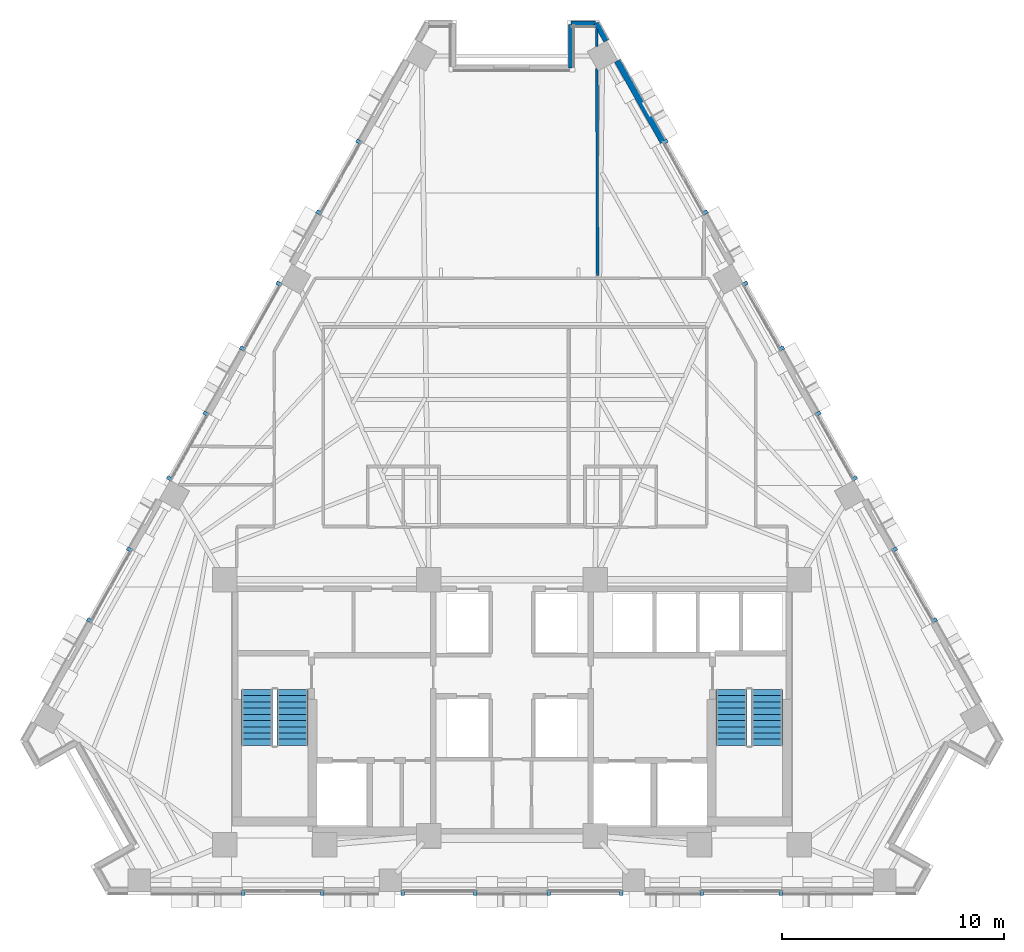
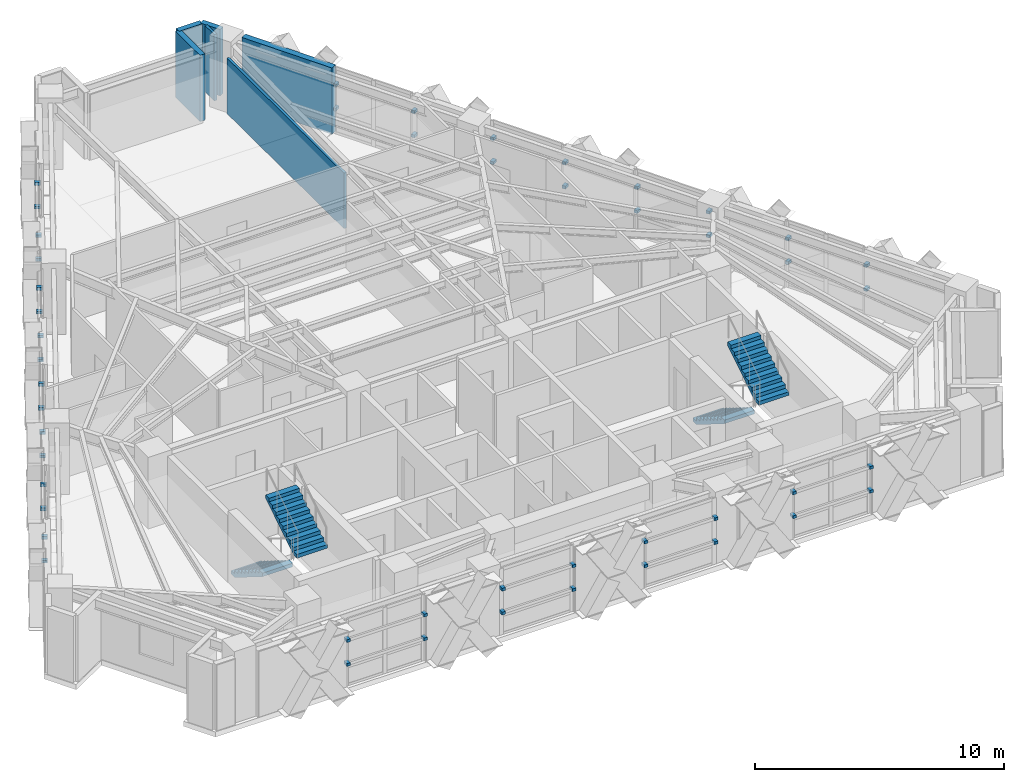
# One storey, part 10 of 14: 48 discrete accessories, 6 walls, 4 stair flights, 2 elements without a shape of their own.
"""IFC4 building model written with IfcOpenShell, lengths in metres."""

from ifc_helpers import new_model, si_unit, direction, frame, frame_2d, origin, origin_2d, place, context, subcontext, project, spatial, polyline, rectangle, outline, extrude, material, layer, layer_set, type_object, element, aggregate, save


model = new_model("IFC4")

# Units and contexts
model_context = context("Model", 3, precision=1e-05, world=origin(), true_north=direction((0.0, 1.0)))
body_context = subcontext(model_context, "Body", "Model", "MODEL_VIEW")
ifc_project = project(units=[si_unit("LENGTHUNIT", "METRE"), si_unit("AREAUNIT", "SQUARE_METRE"), si_unit("VOLUMEUNIT", "CUBIC_METRE"), si_unit("PLANEANGLEUNIT", "RADIAN"), si_unit("MASSUNIT", "GRAM", prefix="KILO")], contexts=[model_context])

# Site, building, storey
site_placement = place(None, origin())
site = spatial("IfcSite", under=ifc_project, at=site_placement, CompositionType="ELEMENT")
building_placement = place(site_placement, origin())
building = spatial("IfcBuilding", under=site, at=building_placement, Name="Quenlor Broadcast Tower", CompositionType="ELEMENT")
storey_placement = place(building_placement, frame((0.0, 0.0, 154.5)))
storey = spatial("IfcBuildingStorey", under=building, at=storey_placement, Name="L42", CompositionType="ELEMENT", Elevation=154.5)

# Walls
ifc_material_1 = material(Name="Gypsum Plasterboard Partition", Category="other")
ifc_layer_1 = layer(ifc_material_1, 0.1201171875)
ifc_layer_set_1 = layer_set([ifc_layer_1], Name="Standard Office Partition 120")
wall_type_1 = type_object("IfcWallType", Name="Standard Office Partition 120", PredefinedType="PARTITIONING", material=ifc_layer_set_1)
wall_1_placement = place(storey_placement, frame((3.8203125, 20.002685546875, 0.0), z_axis=(0.0, 0.0, 1.0), x_axis=(0.00358654361, -0.999993568332, 0.0)))
element("IfcWall", 1, at=wall_1_placement, inside=storey, type_object=wall_type_1, Name="L42 Interior Wall PW-DV-01", PredefinedType="PARTITIONING", context=body_context, shape_type="SweptSolid", body=[
    extrude(rectangle(XDim=0.748779296875, YDim=0.1201171875, at=frame_2d((0.37451171875, 0.0))), origin(), (0.0, 0.0, 1.0), 3.25),
])
wall_2_placement = place(storey_placement, frame((3.826416015625, 18.247802734375, 0.0), z_axis=(0.0, 0.0, 1.0), x_axis=(0.003529574333, -0.999993771033, 0.0)))
element("IfcWall", 2, at=wall_2_placement, inside=storey, type_object=wall_type_1, Name="L42 Interior Wall PW-DV-01S2", PredefinedType="PARTITIONING", context=body_context, shape_type="SweptSolid", body=[
    extrude(rectangle(XDim=9.337890625, YDim=0.1201171875, at=frame_2d((4.6689453125, 0.0))), origin(), (0.0, 0.0, 1.0), 2.717041015625),
])
ifc_material_2 = material(Name="Precast concrete C40/50", Category="concrete")
ifc_layer_2 = layer(ifc_material_2, 0.239990234375)
ifc_layer_set_2 = layer_set([ifc_layer_2], Name="Terrace Threshold Precast Concrete C40/50 Wall 240")
wall_type_2 = type_object("IfcWallType", Name="Terrace Threshold Precast Concrete C40/50 Wall 240", PredefinedType="STANDARD", material=ifc_layer_set_2)
wall_3_placement = place(storey_placement, frame((3.7919921875, 20.302001953125, 0.0), z_axis=(0.0, 0.0, 1.0), x_axis=(0.490048346303, -0.871695255399, 0.0)))
element("IfcWall", 3, at=wall_3_placement, inside=storey, type_object=wall_type_2, Name="L42 Exterior Wall L42-SHD-NES0", PredefinedType="STANDARD", context=body_context, shape_type="SweptSolid", body=[
    extrude(rectangle(XDim=0.925537109375, YDim=0.239990234375, at=frame_2d((0.462890625, 0.0))), origin(), (0.0, 0.0, 1.0), 3.25),
])
wall_4_placement = place(storey_placement, frame((3.761474609375, 20.280029296875, 0.0), z_axis=(0.0, 0.0, 1.0), x_axis=(-1.0, 0.0, 0.0)))
element("IfcWall", 4, at=wall_4_placement, inside=storey, type_object=wall_type_2, Name="L42 Exterior Wall L42-CNR-06", PredefinedType="STANDARD", context=body_context, shape_type="SweptSolid", body=[
    extrude(rectangle(XDim=1.1015625, YDim=0.239990234375, at=frame_2d((0.55078125, 0.0))), origin(), (0.0, 0.0, 1.0), 3.25),
])
wall_5_placement = place(storey_placement, frame((2.659912109375, 20.239990234375, 0.0), z_axis=(0.0, 0.0, 1.0), x_axis=(0.0, -1.0, 0.0)))
element("IfcWall", 5, at=wall_5_placement, inside=storey, type_object=wall_type_2, Name="L42 Exterior Wall L42-CNR-07", PredefinedType="STANDARD", context=body_context, shape_type="SweptSolid", body=[
    extrude(rectangle(XDim=1.9599609375, YDim=0.239990234375, at=frame_2d((0.97998046875, 0.0))), origin(), (0.0, 0.0, 1.0), 3.25),
])
ifc_material_3 = material(Name="Precast concrete C40/50", Category="concrete")
ifc_layer_3 = layer(ifc_material_3, 0.280029296875)
ifc_layer_set_3 = layer_set([ifc_layer_3], Name="Terracotta Precast Concrete C40/50 Facade Wall 280")
wall_type_3 = type_object("IfcWallType", Name="Terracotta Precast Concrete C40/50 Facade Wall 280", PredefinedType="STANDARD", material=ifc_layer_set_3)
wall_6_placement = place(storey_placement, frame((4.750732421875, 18.597412109375, 0.0), z_axis=(0.0, 0.0, 1.0), x_axis=(0.490250201787, -0.871581745821, 0.0)))
element("IfcWall", 6, at=wall_6_placement, inside=storey, type_object=wall_type_3, Name="L42 Exterior Wall L42-NEA-SP1", PredefinedType="STANDARD", context=body_context, shape_type="SweptSolid", body=[
    extrude(rectangle(XDim=4.20068359375, YDim=0.280029296875, at=frame_2d((2.100341796875, 0.0))), origin(), (0.0, 0.0, 1.0), 3.25),
])

# Stair, stair flights
ifc_material_4 = material(Name="Precast concrete C40/50", Category="concrete")
stair_type = type_object("IfcStairType", Name="Precast Concrete C40/50 Dogleg Stair H350", PredefinedType="HALF_TURN_STAIR", material=ifc_material_4)
stair_1_placement = place(storey_placement, origin())
stair_1 = element("IfcStair", 7, at=stair_1_placement, inside=storey, type_object=stair_type, Name="L42 West Core Fire-Isolated Exit Stair ST-1", PredefinedType="HALF_TURN_STAIR")
ifc_material_5 = material(Name="Precast concrete C40/50", Category="concrete")
ifc_layer_4 = layer(ifc_material_5, 0.159912109375)
ifc_layer_set_4 = layer_set([ifc_layer_4], Name="Precast Concrete C40/50 Stair Flight H350")
stair_flight_type = type_object("IfcStairFlightType", Name="Precast Concrete C40/50 Stair Flight H350", PredefinedType="STRAIGHT", material=ifc_layer_set_4)
stair_flight_1_placement = place(storey_placement, frame((-11.5, -9.75, 0.0), z_axis=(0.0, 0.0, 1.0), x_axis=(0.0, -1.0, 0.0)))
stair_flight_1 = element("IfcStairFlight", 8, at=stair_flight_1_placement, type_object=stair_flight_type, Name="ST-1 flight 1", NumberOfRisers=10, NumberOfTreads=9, PredefinedType="STRAIGHT", RiserHeight=0.175, TreadLength=0.28, context=body_context, shape_type="SweptSolid", body=[
    extrude(outline(polyline([(0.0, 0.0), (0.0, 0.175048828125), (0.280029296875, 0.175048828125), (0.280029296875, 0.35009765625), (0.56005859375, 0.35009765625), (0.56005859375, 0.52490234375), (0.840087890625, 0.52490234375), (0.840087890625, 0.699951171875), (1.1201171875, 0.699951171875), (1.1201171875, 0.875), (1.39990234375, 0.875), (1.39990234375, 1.050048828125), (1.679931640625, 1.050048828125), (1.679931640625, 1.22509765625), (1.9599609375, 1.22509765625), (1.9599609375, 1.39990234375), (2.239990234375, 1.39990234375), (2.239990234375, 1.574951171875), (2.52001953125, 1.574951171875), (2.52001953125, 1.75), (2.52001953125, 1.398193359375), (0.28271484375, 0.0), (0.0, 0.0)])), frame((0.0, 0.699951171875, 0.0), z_axis=(0.0, -1.0, 0.0), x_axis=(1.0, 0.0, 0.0)), (0.0, 0.0, 1.0), 1.39990234375),
])
stair_flight_2_placement = place(storey_placement, frame((-9.89990234375, -12.27001953125, 1.75), z_axis=(0.0, 0.0, 1.0), x_axis=(0.0, 1.0, 0.0)))
stair_flight_2 = element("IfcStairFlight", 9, at=stair_flight_2_placement, type_object=stair_flight_type, Name="ST-1 flight 2", NumberOfRisers=10, NumberOfTreads=9, PredefinedType="STRAIGHT", RiserHeight=0.175, TreadLength=0.28, context=body_context, shape_type="SweptSolid", body=[
    extrude(outline(polyline([(0.0, 0.0), (0.0, 0.175048828125), (0.280029296875, 0.175048828125), (0.280029296875, 0.35009765625), (0.56005859375, 0.35009765625), (0.56005859375, 0.52490234375), (0.840087890625, 0.52490234375), (0.840087890625, 0.699951171875), (1.1201171875, 0.699951171875), (1.1201171875, 0.875), (1.39990234375, 0.875), (1.39990234375, 1.050048828125), (1.679931640625, 1.050048828125), (1.679931640625, 1.22509765625), (1.9599609375, 1.22509765625), (1.9599609375, 1.39990234375), (2.239990234375, 1.39990234375), (2.239990234375, 1.574951171875), (2.52001953125, 1.574951171875), (2.52001953125, 1.75), (2.52001953125, 1.398193359375), (0.28271484375, 0.0), (0.0, 0.0)])), frame((0.0, 0.699951171875, 0.0), z_axis=(0.0, -1.0, 0.0), x_axis=(1.0, 0.0, 0.0)), (0.0, 0.0, 1.0), 1.39990234375),
])
aggregate(stair_1, [stair_flight_1, stair_flight_2])

stair_2_placement = place(storey_placement, origin())
stair_2 = element("IfcStair", 10, at=stair_2_placement, inside=storey, type_object=stair_type, Name="L42 East Core Fire-Isolated Exit Stair ST-2", PredefinedType="HALF_TURN_STAIR")
stair_flight_3_placement = place(storey_placement, frame((9.89990234375, -9.75, 0.0), z_axis=(0.0, 0.0, 1.0), x_axis=(0.0, -1.0, 0.0)))
stair_flight_3 = element("IfcStairFlight", 11, at=stair_flight_3_placement, type_object=stair_flight_type, Name="ST-2 flight 1", NumberOfRisers=10, NumberOfTreads=9, PredefinedType="STRAIGHT", RiserHeight=0.175, TreadLength=0.28, context=body_context, shape_type="SweptSolid", body=[
    extrude(outline(polyline([(0.0, 0.0), (0.0, 0.175048828125), (0.280029296875, 0.175048828125), (0.280029296875, 0.35009765625), (0.56005859375, 0.35009765625), (0.56005859375, 0.52490234375), (0.840087890625, 0.52490234375), (0.840087890625, 0.699951171875), (1.1201171875, 0.699951171875), (1.1201171875, 0.875), (1.39990234375, 0.875), (1.39990234375, 1.050048828125), (1.679931640625, 1.050048828125), (1.679931640625, 1.22509765625), (1.9599609375, 1.22509765625), (1.9599609375, 1.39990234375), (2.239990234375, 1.39990234375), (2.239990234375, 1.574951171875), (2.52001953125, 1.574951171875), (2.52001953125, 1.75), (2.52001953125, 1.398193359375), (0.28271484375, 0.0), (0.0, 0.0)])), frame((0.0, 0.699951171875, 0.0), z_axis=(0.0, -1.0, 0.0), x_axis=(1.0, 0.0, 0.0)), (0.0, 0.0, 1.0), 1.39990234375),
])
stair_flight_4_placement = place(storey_placement, frame((11.5, -12.27001953125, 1.75), z_axis=(0.0, 0.0, 1.0), x_axis=(0.0, 1.0, 0.0)))
stair_flight_4 = element("IfcStairFlight", 12, at=stair_flight_4_placement, type_object=stair_flight_type, Name="ST-2 flight 2", NumberOfRisers=10, NumberOfTreads=9, PredefinedType="STRAIGHT", RiserHeight=0.175, TreadLength=0.28, context=body_context, shape_type="SweptSolid", body=[
    extrude(outline(polyline([(0.0, 0.0), (0.0, 0.175048828125), (0.280029296875, 0.175048828125), (0.280029296875, 0.35009765625), (0.56005859375, 0.35009765625), (0.56005859375, 0.52490234375), (0.840087890625, 0.52490234375), (0.840087890625, 0.699951171875), (1.1201171875, 0.699951171875), (1.1201171875, 0.875), (1.39990234375, 0.875), (1.39990234375, 1.050048828125), (1.679931640625, 1.050048828125), (1.679931640625, 1.22509765625), (1.9599609375, 1.22509765625), (1.9599609375, 1.39990234375), (2.239990234375, 1.39990234375), (2.239990234375, 1.574951171875), (2.52001953125, 1.574951171875), (2.52001953125, 1.75), (2.52001953125, 1.398193359375), (0.28271484375, 0.0), (0.0, 0.0)])), frame((0.0, 0.699951171875, 0.0), z_axis=(0.0, -1.0, 0.0), x_axis=(1.0, 0.0, 0.0)), (0.0, 0.0, 1.0), 1.39990234375),
])
aggregate(stair_2, [stair_flight_3, stair_flight_4])

# Discrete accessories
ifc_material_6 = material(Name="Aluminium 6063-T6", Category="aluminium")
discrete_accessory_type = type_object("IfcDiscreteAccessoryType", Name="Stainless Mullion Baguette Support Bracket", PredefinedType="BRACKET", material=ifc_material_6)
for number, where, z_axis, x_axis, name in (
    (13, (12.114013671875, -18.919921875, 1.10009765625), (0.0, 0.0, 1.0), (-1.0, 0.0, 0.0), "L42 Baguette Mullion Bracket 1.1"),
    (14, (8.550048828125, -18.919921875, 1.10009765625), (0.0, 0.0, 1.0), (-1.0, 0.0, 0.0), "L42 Baguette Mullion Bracket 1.2"),
    (15, (12.114013671875, -18.919921875, 2.27001953125), (0.0, 0.0, 1.0), (-1.0, 0.0, 0.0), "L42 Baguette Mullion Bracket 2.1"),
    (16, (8.550048828125, -18.919921875, 2.27001953125), (0.0, 0.0, 1.0), (-1.0, 0.0, 0.0), "L42 Baguette Mullion Bracket 2.2"),
    (17, (-8.550048828125, -18.919921875, 1.10009765625), (0.0, 0.0, 1.0), (-1.0, 0.0, 0.0), "L42 Baguette Mullion Bracket 1.1"),
    (18, (-12.114013671875, -18.919921875, 1.10009765625), (0.0, 0.0, 1.0), (-1.0, 0.0, 0.0), "L42 Baguette Mullion Bracket 1.2"),
    (19, (-8.550048828125, -18.919921875, 2.27001953125), (0.0, 0.0, 1.0), (-1.0, 0.0, 0.0), "L42 Baguette Mullion Bracket 2.1"),
    (20, (-12.114013671875, -18.919921875, 2.27001953125), (0.0, 0.0, 1.0), (-1.0, 0.0, 0.0), "L42 Baguette Mullion Bracket 2.2"),
    (21, (4.926025390625, -18.919921875, 1.10009765625), (0.0, 0.0, 1.0), (-1.0, 0.0, 0.0), "L42 Baguette Mullion Bracket 1.1"),
    (22, (1.662109375, -18.919921875, 1.10009765625), (0.0, 0.0, 1.0), (-1.0, 0.0, 0.0), "L42 Baguette Mullion Bracket 1.2"),
    (23, (4.926025390625, -18.919921875, 2.27001953125), (0.0, 0.0, 1.0), (-1.0, 0.0, 0.0), "L42 Baguette Mullion Bracket 2.1"),
    (24, (1.662109375, -18.919921875, 2.27001953125), (0.0, 0.0, 1.0), (-1.0, 0.0, 0.0), "L42 Baguette Mullion Bracket 2.2"),
    (25, (-1.662109375, -18.919921875, 1.10009765625), (0.0, 0.0, 1.0), (-1.0, 0.0, 0.0), "L42 Baguette Mullion Bracket 1.1"),
    (26, (-4.926025390625, -18.919921875, 1.10009765625), (0.0, 0.0, 1.0), (-1.0, 0.0, 0.0), "L42 Baguette Mullion Bracket 1.2"),
    (27, (-1.662109375, -18.919921875, 2.27001953125), (0.0, 0.0, 1.0), (-1.0, 0.0, 0.0), "L42 Baguette Mullion Bracket 2.1"),
    (28, (-4.926025390625, -18.919921875, 2.27001953125), (0.0, 0.0, 1.0), (-1.0, 0.0, 0.0), "L42 Baguette Mullion Bracket 2.2"),
    (29, (6.909912109375, 14.952392578125, 1.10009765625), (0.0, 0.0, 1.0), (0.490269552242, -0.871570861229, 0.0), "L42 Baguette Mullion Bracket 1.1"),
    (30, (8.706298828125, 11.7587890625, 1.10009765625), (0.0, 0.0, 1.0), (0.490269552242, -0.871570861229, 0.0), "L42 Baguette Mullion Bracket 1.2"),
    (31, (6.909912109375, 14.952392578125, 2.27001953125), (0.0, 0.0, 1.0), (0.490269552242, -0.871570861229, 0.0), "L42 Baguette Mullion Bracket 2.1"),
    (32, (8.706298828125, 11.7587890625, 2.27001953125), (0.0, 0.0, 1.0), (0.490269552242, -0.871570861229, 0.0), "L42 Baguette Mullion Bracket 2.2"),
    (33, (17.25439453125, -3.437255859375, 1.10009765625), (0.0, 0.0, 1.0), (0.490258903959, -0.871576850937, 0.0), "L42 Baguette Mullion Bracket 1.1"),
    (34, (19.050537109375, -6.630859375, 1.10009765625), (0.0, 0.0, 1.0), (0.490258903959, -0.871576850937, 0.0), "L42 Baguette Mullion Bracket 1.2"),
    (35, (17.25439453125, -3.437255859375, 2.27001953125), (0.0, 0.0, 1.0), (0.490258903959, -0.871576850937, 0.0), "L42 Baguette Mullion Bracket 2.1"),
    (36, (19.050537109375, -6.630859375, 2.27001953125), (0.0, 0.0, 1.0), (0.490258903959, -0.871576850937, 0.0), "L42 Baguette Mullion Bracket 2.2"),
    (37, (10.511962890625, 8.549072265625, 1.10009765625), (0.0, 0.0, 1.0), (0.490255861579, -0.871578562258, 0.0), "L42 Baguette Mullion Bracket 1.1"),
    (38, (12.154296875, 5.62890625, 1.10009765625), (0.0, 0.0, 1.0), (0.490255861579, -0.871578562258, 0.0), "L42 Baguette Mullion Bracket 1.2"),
    (39, (10.511962890625, 8.549072265625, 2.27001953125), (0.0, 0.0, 1.0), (0.490255861579, -0.871578562258, 0.0), "L42 Baguette Mullion Bracket 2.1"),
    (40, (12.154296875, 5.62890625, 2.27001953125), (0.0, 0.0, 1.0), (0.490255861579, -0.871578562258, 0.0), "L42 Baguette Mullion Bracket 2.2"),
    (41, (13.80615234375, 2.692626953125, 1.10009765625), (0.0, 0.0, 1.0), (0.490268031063, -0.87157171691, 0.0), "L42 Baguette Mullion Bracket 1.1"),
    (42, (15.44873046875, -0.2275390625, 1.10009765625), (0.0, 0.0, 1.0), (0.490268031063, -0.87157171691, 0.0), "L42 Baguette Mullion Bracket 1.2"),
    (43, (13.80615234375, 2.692626953125, 2.27001953125), (0.0, 0.0, 1.0), (0.490268031063, -0.87157171691, 0.0), "L42 Baguette Mullion Bracket 2.1"),
    (44, (15.44873046875, -0.2275390625, 2.27001953125), (0.0, 0.0, 1.0), (0.490268031063, -0.87157171691, 0.0), "L42 Baguette Mullion Bracket 2.2"),
    (45, (-19.050537109375, -6.630859375, 1.10009765625), (0.0, 0.0, 1.0), (0.490258903959, 0.871576850937, 0.0), "L42 Baguette Mullion Bracket 1.1"),
    (46, (-17.25439453125, -3.437255859375, 1.10009765625), (0.0, 0.0, 1.0), (0.490258903959, 0.871576850937, 0.0), "L42 Baguette Mullion Bracket 1.2"),
    (47, (-19.050537109375, -6.630859375, 2.27001953125), (0.0, 0.0, 1.0), (0.490258903959, 0.871576850937, 0.0), "L42 Baguette Mullion Bracket 2.1"),
    (48, (-17.25439453125, -3.437255859375, 2.27001953125), (0.0, 0.0, 1.0), (0.490258903959, 0.871576850937, 0.0), "L42 Baguette Mullion Bracket 2.2"),
    (49, (-8.706298828125, 11.7587890625, 1.10009765625), (0.0, 0.0, 1.0), (0.490269552242, 0.871570861229, 0.0), "L42 Baguette Mullion Bracket 1.1"),
    (50, (-6.909912109375, 14.952392578125, 1.10009765625), (0.0, 0.0, 1.0), (0.490269552242, 0.871570861229, 0.0), "L42 Baguette Mullion Bracket 1.2"),
    (51, (-8.706298828125, 11.7587890625, 2.27001953125), (0.0, 0.0, 1.0), (0.490269552242, 0.871570861229, 0.0), "L42 Baguette Mullion Bracket 2.1"),
    (52, (-6.909912109375, 14.952392578125, 2.27001953125), (0.0, 0.0, 1.0), (0.490269552242, 0.871570861229, 0.0), "L42 Baguette Mullion Bracket 2.2"),
    (53, (-15.44873046875, -0.2275390625, 1.10009765625), (0.0, 0.0, 1.0), (0.490268031063, 0.87157171691, 0.0), "L42 Baguette Mullion Bracket 1.1"),
    (54, (-13.80615234375, 2.692626953125, 1.10009765625), (0.0, 0.0, 1.0), (0.490268031063, 0.87157171691, 0.0), "L42 Baguette Mullion Bracket 1.2"),
    (55, (-15.44873046875, -0.2275390625, 2.27001953125), (0.0, 0.0, 1.0), (0.490268031063, 0.87157171691, 0.0), "L42 Baguette Mullion Bracket 2.1"),
    (56, (-13.80615234375, 2.692626953125, 2.27001953125), (0.0, 0.0, 1.0), (0.490268031063, 0.87157171691, 0.0), "L42 Baguette Mullion Bracket 2.2"),
    (57, (-12.154296875, 5.62890625, 1.10009765625), (0.0, 0.0, 1.0), (0.490255861579, 0.871578562258, 0.0), "L42 Baguette Mullion Bracket 1.1"),
    (58, (-10.511962890625, 8.549072265625, 1.10009765625), (0.0, 0.0, 1.0), (0.490255861579, 0.871578562258, 0.0), "L42 Baguette Mullion Bracket 1.2"),
    (59, (-12.154296875, 5.62890625, 2.27001953125), (0.0, 0.0, 1.0), (0.490255861579, 0.871578562258, 0.0), "L42 Baguette Mullion Bracket 2.1"),
    (60, (-10.511962890625, 8.549072265625, 2.27001953125), (0.0, 0.0, 1.0), (0.490255861579, 0.871578562258, 0.0), "L42 Baguette Mullion Bracket 2.2"),
):
    element("IfcDiscreteAccessory", number, at=place(storey_placement, frame(where, z_axis=z_axis, x_axis=x_axis)), inside=storey, type_object=discrete_accessory_type, Name=name, PredefinedType="BRACKET", context=body_context, shape_type="SweptSolid", body=[
        extrude(rectangle(XDim=0.159912109375, YDim=0.239990234375, at=origin_2d()), origin(), (0.0, 0.0, 1.0), 0.139892578125),
    ])

save(model, "model.ifc")
